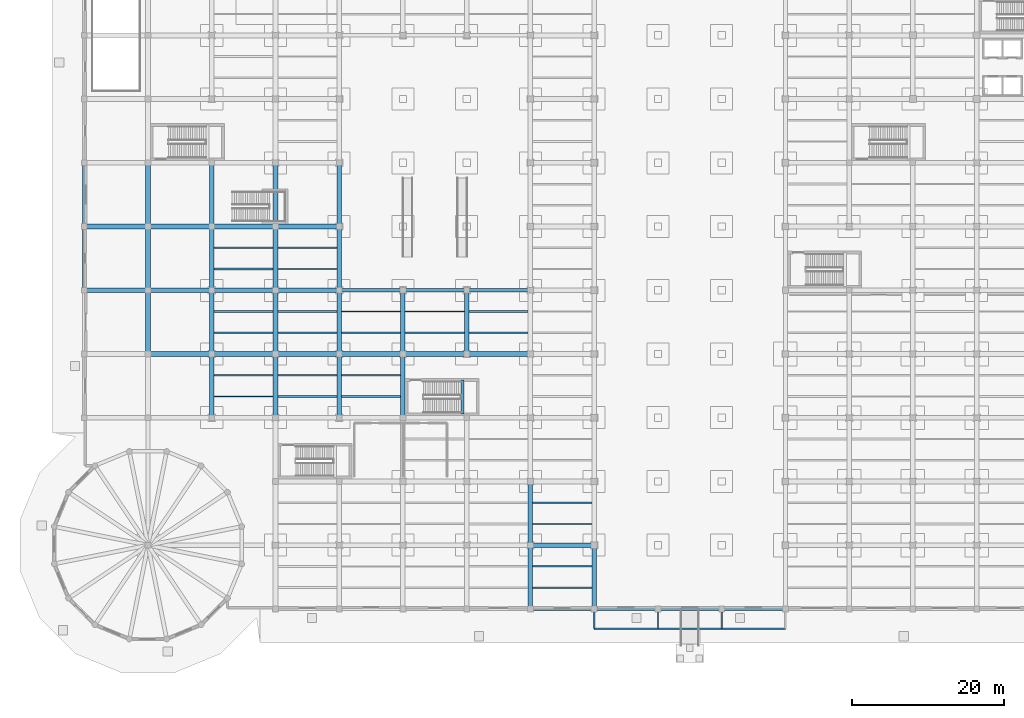
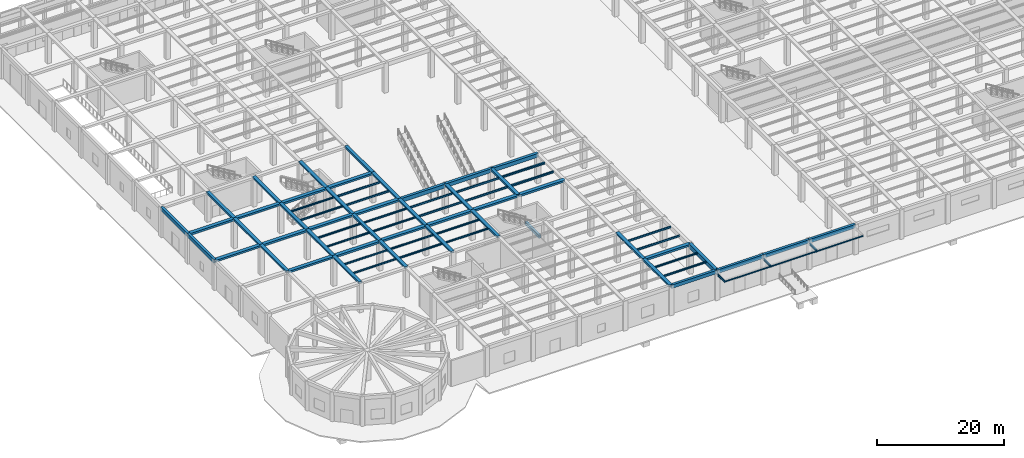
# One storey, part 5 of 43: 73 beams, 3 members.
"""IFC4 building model written with IfcOpenShell, lengths in metres."""

from ifc_helpers import new_model, si_unit, direction, frame, origin, origin_2d, place, context, subcontext, project, spatial, rectangle, hollow_rectangle, i_section, extrude, material, material_profile, profile_set, type_object, element, save


model = new_model("IFC4")

# Units and contexts
model_context = context("Model", 3, precision=1e-05, world=origin(), true_north=direction((0.0, 1.0)))
body_context = subcontext(model_context, "Body", "Model", "MODEL_VIEW")
ifc_project = project(units=[si_unit("LENGTHUNIT", "METRE"), si_unit("AREAUNIT", "SQUARE_METRE"), si_unit("VOLUMEUNIT", "CUBIC_METRE"), si_unit("PLANEANGLEUNIT", "RADIAN"), si_unit("MASSUNIT", "GRAM", prefix="KILO")], contexts=[model_context])

# Site, building, storey
site_placement = place(None, origin())
site = spatial("IfcSite", under=ifc_project, at=site_placement, CompositionType="ELEMENT")
building_placement = place(site_placement, origin())
building = spatial("IfcBuilding", under=site, at=building_placement, Name="Almacenes y Pasaje Nevantli", CompositionType="ELEMENT")
storey_placement = place(building_placement, origin())
storey = spatial("IfcBuildingStorey", under=building, at=storey_placement, Name="L01", CompositionType="ELEMENT", Elevation=0.0)

# Beams
ifc_material_1 = material(Name="Concrete C35/45", Category="concrete")
ifc_material_profile_1 = material_profile(ifc_material_1, rectangle(XDim=0.39990234375, YDim=0.60009765625, at=origin_2d()), Name="RC-BM-400x600")
ifc_profile_set_1 = profile_set([ifc_material_profile_1], Name="Concrete C35/45")
beam_type_1 = type_object("IfcBeamType", Name="BM-RC-400x600", PredefinedType="SPANDREL", material=ifc_profile_set_1)
beam_1_placement = place(storey_placement, frame((49.830078125, 25.699951171875, 2.5), z_axis=(0.0, 1.0, 0.0), x_axis=(-1.0, 0.0, 0.0)))
element("IfcBeam", 1, at=beam_1_placement, inside=storey, type_object=beam_type_1, Name="L01 Stair ST-14 Half-Landing Support Beam", PredefinedType="SPANDREL", context=body_context, shape_type="SweptSolid", body=[
    extrude(rectangle(XDim=0.39990234375, YDim=0.60009765625, at=origin_2d()), origin(), (0.0, 0.0, 1.0), 4.449951171875),
])
ifc_material_2 = material(Name="Concrete C35/45", Category="concrete")
ifc_material_profile_2 = material_profile(ifc_material_2, rectangle(XDim=0.449951171875, YDim=0.64990234375, at=origin_2d()), Name="RC-BM-450x650")
ifc_profile_set_2 = profile_set([ifc_material_profile_2], Name="Concrete C35/45")
beam_type_2 = type_object("IfcBeamType", Name="BM-RC-450x650", PredefinedType="SPANDREL", material=ifc_profile_set_2)
for number, where, z_axis, x_axis, name in (
    (2, (58.800048828125, 0.0, 5.375), (1.0, 0.0, 0.0), (0.0, 1.0, 0.0), "L01 East-West Reinforced Concrete Beam #1213"),
    (3, (75.60009765625, 0.0, 5.375), (1.0, 0.0, 0.0), (0.0, 1.0, 0.0), "L01 East-West Reinforced Concrete Beam #1215"),
):
    element("IfcBeam", number, at=place(storey_placement, frame(where, z_axis=z_axis, x_axis=x_axis)), inside=storey, type_object=beam_type_2, Name=name, PredefinedType="SPANDREL", context=body_context, shape_type="SweptSolid", body=[
        extrude(rectangle(XDim=0.449951171875, YDim=0.64990234375, at=origin_2d()), origin(), (0.0, 0.0, 1.0), 8.39990234375),
    ])
ifc_material_3 = material(Name="Concrete C35/45", Category="concrete")
ifc_material_profile_3 = material_profile(ifc_material_3, rectangle(XDim=0.449951171875, YDim=0.699951171875, at=origin_2d()), Name="RC-BM-450x700")
ifc_profile_set_3 = profile_set([ifc_material_profile_3], Name="Concrete C35/45")
beam_type_3 = type_object("IfcBeamType", Name="BM-RC-450x700", PredefinedType="SPANDREL", material=ifc_profile_set_3)
beam_2_placement = place(storey_placement, frame((67.199951171875, 0.0, 5.35009765625), z_axis=(1.0, 0.0, 0.0), x_axis=(0.0, 1.0, 0.0)))
element("IfcBeam", 4, at=beam_2_placement, inside=storey, type_object=beam_type_3, Name="L01 East-West Reinforced Concrete Beam #1214", PredefinedType="SPANDREL", context=body_context, shape_type="SweptSolid", body=[
    extrude(rectangle(XDim=0.449951171875, YDim=0.699951171875, at=origin_2d()), origin(), (0.0, 0.0, 1.0), 8.400146484375),
])
for number, where, z_axis, x_axis, name in (
    (5, (84.0, 0.0, 5.35009765625), (1.0, 0.0, 0.0), (0.0, 1.0, 0.0), "L01 East-West Reinforced Concrete Beam #1216"),
    (6, (0.0, 42.0, 5.35009765625), (0.0, 1.0, 0.0), (-1.0, 0.0, 0.0), "L01 North-South Reinforced Concrete Beam #1454"),
):
    element("IfcBeam", number, at=place(storey_placement, frame(where, z_axis=z_axis, x_axis=x_axis)), inside=storey, type_object=beam_type_3, Name=name, PredefinedType="SPANDREL", context=body_context, shape_type="SweptSolid", body=[
        extrude(rectangle(XDim=0.449951171875, YDim=0.699951171875, at=origin_2d()), origin(), (0.0, 0.0, 1.0), 8.39990234375),
    ])
beam_3_placement = place(storey_placement, frame((0.0, 50.39990234375, 5.35009765625), z_axis=(0.0, 1.0, 0.0), x_axis=(-1.0, 0.0, 0.0)))
element("IfcBeam", 7, at=beam_3_placement, inside=storey, type_object=beam_type_3, Name="L01 North-South Reinforced Concrete Beam #1455", PredefinedType="SPANDREL", context=body_context, shape_type="SweptSolid", body=[
    extrude(rectangle(XDim=0.449951171875, YDim=0.699951171875, at=origin_2d()), origin(), (0.0, 0.0, 1.0), 8.400146484375),
])
ifc_material_4 = material(Name="Concrete C35/45", Category="concrete")
ifc_material_profile_4 = material_profile(ifc_material_4, rectangle(XDim=0.5, YDim=0.699951171875, at=origin_2d()), Name="RC-BM-500x700")
ifc_profile_set_4 = profile_set([ifc_material_profile_4], Name="Concrete C35/45")
beam_type_4 = type_object("IfcBeamType", Name="BM-RC-500x700", PredefinedType="BEAM", material=ifc_profile_set_4)
beam_4_placement = place(storey_placement, frame((42.0, 42.0, 5.35009765625), z_axis=(1.0, 0.0, 0.0), x_axis=(0.0, 1.0, 0.0)))
element("IfcBeam", 8, at=beam_4_placement, inside=storey, type_object=beam_type_4, Name="L01 East-West Reinforced Concrete Beam #1293", PredefinedType="BEAM", context=body_context, shape_type="SweptSolid", body=[
    extrude(rectangle(XDim=0.5, YDim=0.699951171875, at=origin_2d()), origin(), (0.0, 0.0, 1.0), 8.39990234375),
])
ifc_material_5 = material(Name="Concrete C35/45", Category="concrete")
ifc_material_profile_5 = material_profile(ifc_material_5, rectangle(XDim=0.5, YDim=0.75, at=origin_2d()), Name="RC-BM-500x750")
ifc_profile_set_5 = profile_set([ifc_material_profile_5], Name="Concrete C35/45")
beam_type_5 = type_object("IfcBeamType", Name="BM-RC-500x750", PredefinedType="BEAM", material=ifc_profile_set_5)
beam_5_placement = place(storey_placement, frame((33.60009765625, 42.0, 5.324951171875), z_axis=(1.0, 0.0, 0.0), x_axis=(0.0, 1.0, 0.0)))
element("IfcBeam", 9, at=beam_5_placement, inside=storey, type_object=beam_type_5, Name="L01 East-West Reinforced Concrete Beam #1292", PredefinedType="BEAM", context=body_context, shape_type="SweptSolid", body=[
    extrude(rectangle(XDim=0.5, YDim=0.75, at=origin_2d()), origin(), (0.0, 0.0, 1.0), 8.39990234375),
])
beam_6_placement = place(storey_placement, frame((50.39990234375, 42.0, 5.324951171875), z_axis=(1.0, 0.0, 0.0), x_axis=(0.0, 1.0, 0.0)))
element("IfcBeam", 10, at=beam_6_placement, inside=storey, type_object=beam_type_5, Name="L01 East-West Reinforced Concrete Beam #1294", PredefinedType="BEAM", context=body_context, shape_type="SweptSolid", body=[
    extrude(rectangle(XDim=0.5, YDim=0.75, at=origin_2d()), origin(), (0.0, 0.0, 1.0), 8.400146484375),
])
ifc_material_6 = material(Name="Concrete C35/45", Category="concrete")
ifc_material_profile_6 = material_profile(ifc_material_6, rectangle(XDim=0.550048828125, YDim=0.800048828125, at=origin_2d()), Name="RC-BM-550x800")
ifc_profile_set_6 = profile_set([ifc_material_profile_6], Name="Concrete C35/45")
beam_type_6 = type_object("IfcBeamType", Name="BM-RC-550x800", PredefinedType="BEAM", material=ifc_profile_set_6)
beam_7_placement = place(storey_placement, frame((67.199951171875, 0.0, 5.300048828125), z_axis=(0.0, 1.0, 0.0), x_axis=(-1.0, 0.0, 0.0)))
element("IfcBeam", 11, at=beam_7_placement, inside=storey, type_object=beam_type_6, Name="L01 North-South Reinforced Concrete Beam #1541", PredefinedType="BEAM", context=body_context, shape_type="SweptSolid", body=[
    extrude(rectangle(XDim=0.550048828125, YDim=0.800048828125, at=origin_2d()), origin(), (0.0, 0.0, 1.0), 8.39990234375),
])
ifc_material_7 = material(Name="Concrete C35/45", Category="concrete")
ifc_material_profile_7 = material_profile(ifc_material_7, rectangle(XDim=0.60009765625, YDim=0.320068359375, at=origin_2d()), Name="RC-BM-600x320")
ifc_profile_set_7 = profile_set([ifc_material_profile_7], Name="Concrete C35/45")
beam_type_7 = type_object("IfcBeamType", Name="BM-RC-600x320", PredefinedType="BEAM", material=ifc_profile_set_7)
beam_8_placement = place(storey_placement, frame((8.39990234375, 33.60009765625, 5.5400390625), z_axis=(0.0, 1.0, 0.0), x_axis=(-1.0, 0.0, 0.0)))
element("IfcBeam", 12, at=beam_8_placement, inside=storey, type_object=beam_type_7, Name="L01 North-South Reinforced Concrete Beam #1464", PredefinedType="BEAM", context=body_context, shape_type="SweptSolid", body=[
    extrude(rectangle(XDim=0.60009765625, YDim=0.320068359375, at=origin_2d()), origin(), (0.0, 0.0, 1.0), 8.39990234375),
])
for number, where, z_axis, x_axis, name in (
    (13, (8.39990234375, 50.39990234375, 5.5400390625), (0.0, 1.0, 0.0), (-1.0, 0.0, 0.0), "L01 North-South Reinforced Concrete Beam #1466"),
    (14, (16.800048828125, 25.199951171875, 5.5400390625), (0.0, 1.0, 0.0), (-1.0, 0.0, 0.0), "L01 North-South Reinforced Concrete Beam #1474"),
):
    element("IfcBeam", number, at=place(storey_placement, frame(where, z_axis=z_axis, x_axis=x_axis)), inside=storey, type_object=beam_type_7, Name=name, PredefinedType="BEAM", context=body_context, shape_type="SweptSolid", body=[
        extrude(rectangle(XDim=0.60009765625, YDim=0.320068359375, at=origin_2d()), origin(), (0.0, 0.0, 1.0), 8.400146484375),
    ])
for number, where, z_axis, x_axis, name in (
    (15, (16.800048828125, 42.0, 5.5400390625), (0.0, 1.0, 0.0), (-1.0, 0.0, 0.0), "L01 North-South Reinforced Concrete Beam #1476"),
    (16, (25.199951171875, 33.60009765625, 5.5400390625), (0.0, 1.0, 0.0), (-1.0, 0.0, 0.0), "L01 North-South Reinforced Concrete Beam #1487"),
):
    element("IfcBeam", number, at=place(storey_placement, frame(where, z_axis=z_axis, x_axis=x_axis)), inside=storey, type_object=beam_type_7, Name=name, PredefinedType="BEAM", context=body_context, shape_type="SweptSolid", body=[
        extrude(rectangle(XDim=0.60009765625, YDim=0.320068359375, at=origin_2d()), origin(), (0.0, 0.0, 1.0), 8.39990234375),
    ])
for number, where, z_axis, x_axis, name in (
    (17, (25.199951171875, 50.39990234375, 5.5400390625), (0.0, 1.0, 0.0), (-1.0, 0.0, 0.0), "L01 North-South Reinforced Concrete Beam #1489"),
    (18, (33.60009765625, 25.199951171875, 5.5400390625), (0.0, 1.0, 0.0), (-1.0, 0.0, 0.0), "L01 North-South Reinforced Concrete Beam #1499"),
):
    element("IfcBeam", number, at=place(storey_placement, frame(where, z_axis=z_axis, x_axis=x_axis)), inside=storey, type_object=beam_type_7, Name=name, PredefinedType="BEAM", context=body_context, shape_type="SweptSolid", body=[
        extrude(rectangle(XDim=0.60009765625, YDim=0.320068359375, at=origin_2d()), origin(), (0.0, 0.0, 1.0), 8.400146484375),
    ])
for number, where, z_axis, x_axis, name in (
    (19, (33.60009765625, 42.0, 5.5400390625), (0.0, 1.0, 0.0), (-1.0, 0.0, 0.0), "L01 North-South Reinforced Concrete Beam #1501"),
    (20, (42.0, 33.60009765625, 5.5400390625), (0.0, 1.0, 0.0), (-1.0, 0.0, 0.0), "L01 North-South Reinforced Concrete Beam #1514"),
    (21, (58.800048828125, 0.0, 5.5400390625), (0.0, 1.0, 0.0), (-1.0, 0.0, 0.0), "L01 North-South Reinforced Concrete Beam #1528"),
):
    element("IfcBeam", number, at=place(storey_placement, frame(where, z_axis=z_axis, x_axis=x_axis)), inside=storey, type_object=beam_type_7, Name=name, PredefinedType="BEAM", context=body_context, shape_type="SweptSolid", body=[
        extrude(rectangle(XDim=0.60009765625, YDim=0.320068359375, at=origin_2d()), origin(), (0.0, 0.0, 1.0), 8.39990234375),
    ])
ifc_material_8 = material(Name="Concrete C35/45", Category="concrete")
ifc_material_profile_8 = material_profile(ifc_material_8, rectangle(XDim=0.60009765625, YDim=0.340087890625, at=origin_2d()), Name="RC-BM-600x340")
ifc_profile_set_8 = profile_set([ifc_material_profile_8], Name="Concrete C35/45")
beam_type_8 = type_object("IfcBeamType", Name="BM-RC-600x340", PredefinedType="BEAM", material=ifc_profile_set_8)
for number, where, z_axis, x_axis, name in (
    (22, (8.39990234375, 42.0, 5.530029296875), (0.0, 1.0, 0.0), (-1.0, 0.0, 0.0), "L01 North-South Reinforced Concrete Beam #1465"),
    (23, (16.800048828125, 33.60009765625, 5.530029296875), (0.0, 1.0, 0.0), (-1.0, 0.0, 0.0), "L01 North-South Reinforced Concrete Beam #1475"),
):
    element("IfcBeam", number, at=place(storey_placement, frame(where, z_axis=z_axis, x_axis=x_axis)), inside=storey, type_object=beam_type_8, Name=name, PredefinedType="BEAM", context=body_context, shape_type="SweptSolid", body=[
        extrude(rectangle(XDim=0.60009765625, YDim=0.340087890625, at=origin_2d()), origin(), (0.0, 0.0, 1.0), 8.39990234375),
    ])
for number, where, z_axis, x_axis, name in (
    (24, (16.800048828125, 50.39990234375, 5.530029296875), (0.0, 1.0, 0.0), (-1.0, 0.0, 0.0), "L01 North-South Reinforced Concrete Beam #1477"),
    (25, (25.199951171875, 25.199951171875, 5.530029296875), (0.0, 1.0, 0.0), (-1.0, 0.0, 0.0), "L01 North-South Reinforced Concrete Beam #1486"),
):
    element("IfcBeam", number, at=place(storey_placement, frame(where, z_axis=z_axis, x_axis=x_axis)), inside=storey, type_object=beam_type_8, Name=name, PredefinedType="BEAM", context=body_context, shape_type="SweptSolid", body=[
        extrude(rectangle(XDim=0.60009765625, YDim=0.340087890625, at=origin_2d()), origin(), (0.0, 0.0, 1.0), 8.400146484375),
    ])
for number, where, z_axis, x_axis, name in (
    (26, (25.199951171875, 42.0, 5.530029296875), (0.0, 1.0, 0.0), (-1.0, 0.0, 0.0), "L01 North-South Reinforced Concrete Beam #1488"),
    (27, (33.60009765625, 33.60009765625, 5.530029296875), (0.0, 1.0, 0.0), (-1.0, 0.0, 0.0), "L01 North-South Reinforced Concrete Beam #1500"),
):
    element("IfcBeam", number, at=place(storey_placement, frame(where, z_axis=z_axis, x_axis=x_axis)), inside=storey, type_object=beam_type_8, Name=name, PredefinedType="BEAM", context=body_context, shape_type="SweptSolid", body=[
        extrude(rectangle(XDim=0.60009765625, YDim=0.340087890625, at=origin_2d()), origin(), (0.0, 0.0, 1.0), 8.39990234375),
    ])
for number, where, z_axis, x_axis, name in (
    (28, (33.60009765625, 50.39990234375, 5.530029296875), (0.0, 1.0, 0.0), (-1.0, 0.0, 0.0), "L01 North-South Reinforced Concrete Beam #1502"),
    (29, (42.0, 25.199951171875, 5.530029296875), (0.0, 1.0, 0.0), (-1.0, 0.0, 0.0), "L01 North-South Reinforced Concrete Beam #1513"),
):
    element("IfcBeam", number, at=place(storey_placement, frame(where, z_axis=z_axis, x_axis=x_axis)), inside=storey, type_object=beam_type_8, Name=name, PredefinedType="BEAM", context=body_context, shape_type="SweptSolid", body=[
        extrude(rectangle(XDim=0.60009765625, YDim=0.340087890625, at=origin_2d()), origin(), (0.0, 0.0, 1.0), 8.400146484375),
    ])
beam_9_placement = place(storey_placement, frame((50.39990234375, 33.60009765625, 5.530029296875), z_axis=(0.0, 1.0, 0.0), x_axis=(-1.0, 0.0, 0.0)))
element("IfcBeam", 30, at=beam_9_placement, inside=storey, type_object=beam_type_8, Name="L01 North-South Reinforced Concrete Beam #1522", PredefinedType="BEAM", context=body_context, shape_type="SweptSolid", body=[
    extrude(rectangle(XDim=0.60009765625, YDim=0.340087890625, at=origin_2d()), origin(), (0.0, 0.0, 1.0), 8.39990234375),
])
beam_10_placement = place(storey_placement, frame((58.800048828125, 8.39990234375, 5.530029296875), z_axis=(0.0, 1.0, 0.0), x_axis=(-1.0, 0.0, 0.0)))
element("IfcBeam", 31, at=beam_10_placement, inside=storey, type_object=beam_type_8, Name="L01 North-South Reinforced Concrete Beam #1529", PredefinedType="BEAM", context=body_context, shape_type="SweptSolid", body=[
    extrude(rectangle(XDim=0.60009765625, YDim=0.340087890625, at=origin_2d()), origin(), (0.0, 0.0, 1.0), 8.400146484375),
])
ifc_material_9 = material(Name="Concrete C35/45", Category="concrete")
ifc_material_profile_9 = material_profile(ifc_material_9, rectangle(XDim=0.64990234375, YDim=0.35009765625, at=origin_2d()), Name="RC-BM-650x350")
ifc_profile_set_9 = profile_set([ifc_material_profile_9], Name="Concrete C35/45")
beam_type_9 = type_object("IfcBeamType", Name="BM-RC-650x350", PredefinedType="BEAM", material=ifc_profile_set_9)
for number, where, z_axis, x_axis, name in (
    (32, (8.39990234375, 33.60009765625, 5.52490234375), (1.0, 0.0, 0.0), (0.0, 1.0, 0.0), "L01 East-West Reinforced Concrete Beam #1272"),
    (33, (25.199951171875, 33.60009765625, 5.52490234375), (1.0, 0.0, 0.0), (0.0, 1.0, 0.0), "L01 East-West Reinforced Concrete Beam #1274"),
):
    element("IfcBeam", number, at=place(storey_placement, frame(where, z_axis=z_axis, x_axis=x_axis)), inside=storey, type_object=beam_type_9, Name=name, PredefinedType="BEAM", context=body_context, shape_type="SweptSolid", body=[
        extrude(rectangle(XDim=0.64990234375, YDim=0.35009765625, at=origin_2d()), origin(), (0.0, 0.0, 1.0), 8.400146484375),
    ])
for number, where, z_axis, x_axis, name in (
    (34, (42.0, 33.60009765625, 5.52490234375), (1.0, 0.0, 0.0), (0.0, 1.0, 0.0), "L01 East-West Reinforced Concrete Beam #1276"),
    (35, (0.0, 42.0, 5.52490234375), (1.0, 0.0, 0.0), (0.0, 1.0, 0.0), "L01 East-West Reinforced Concrete Beam #1288"),
    (36, (16.800048828125, 42.0, 5.52490234375), (1.0, 0.0, 0.0), (0.0, 1.0, 0.0), "L01 East-West Reinforced Concrete Beam #1290"),
):
    element("IfcBeam", number, at=place(storey_placement, frame(where, z_axis=z_axis, x_axis=x_axis)), inside=storey, type_object=beam_type_9, Name=name, PredefinedType="BEAM", context=body_context, shape_type="SweptSolid", body=[
        extrude(rectangle(XDim=0.64990234375, YDim=0.35009765625, at=origin_2d()), origin(), (0.0, 0.0, 1.0), 8.39990234375),
    ])
for number, where, z_axis, x_axis, name in (
    (37, (8.39990234375, 50.39990234375, 5.52490234375), (1.0, 0.0, 0.0), (0.0, 1.0, 0.0), "L01 East-West Reinforced Concrete Beam #1306"),
    (38, (25.199951171875, 50.39990234375, 5.52490234375), (1.0, 0.0, 0.0), (0.0, 1.0, 0.0), "L01 East-West Reinforced Concrete Beam #1308"),
):
    element("IfcBeam", number, at=place(storey_placement, frame(where, z_axis=z_axis, x_axis=x_axis)), inside=storey, type_object=beam_type_9, Name=name, PredefinedType="BEAM", context=body_context, shape_type="SweptSolid", body=[
        extrude(rectangle(XDim=0.64990234375, YDim=0.35009765625, at=origin_2d()), origin(), (0.0, 0.0, 1.0), 8.400146484375),
    ])
ifc_material_10 = material(Name="Concrete C35/45", Category="concrete")
ifc_material_profile_10 = material_profile(ifc_material_10, rectangle(XDim=0.64990234375, YDim=0.3798828125, at=origin_2d()), Name="RC-BM-650x380")
ifc_profile_set_10 = profile_set([ifc_material_profile_10], Name="Concrete C35/45")
beam_type_10 = type_object("IfcBeamType", Name="BM-RC-650x380", PredefinedType="BEAM", material=ifc_profile_set_10)
for number, where, z_axis, x_axis, name in (
    (39, (58.800048828125, 8.39990234375, 5.510009765625), (1.0, 0.0, 0.0), (0.0, 1.0, 0.0), "L01 East-West Reinforced Concrete Beam #1230"),
    (40, (16.800048828125, 33.60009765625, 5.510009765625), (1.0, 0.0, 0.0), (0.0, 1.0, 0.0), "L01 East-West Reinforced Concrete Beam #1273"),
    (41, (33.60009765625, 33.60009765625, 5.510009765625), (1.0, 0.0, 0.0), (0.0, 1.0, 0.0), "L01 East-West Reinforced Concrete Beam #1275"),
):
    element("IfcBeam", number, at=place(storey_placement, frame(where, z_axis=z_axis, x_axis=x_axis)), inside=storey, type_object=beam_type_10, Name=name, PredefinedType="BEAM", context=body_context, shape_type="SweptSolid", body=[
        extrude(rectangle(XDim=0.64990234375, YDim=0.3798828125, at=origin_2d()), origin(), (0.0, 0.0, 1.0), 8.39990234375),
    ])
for number, where, z_axis, x_axis, name in (
    (42, (50.39990234375, 33.60009765625, 5.510009765625), (1.0, 0.0, 0.0), (0.0, 1.0, 0.0), "L01 East-West Reinforced Concrete Beam #1277"),
    (43, (8.39990234375, 42.0, 5.510009765625), (1.0, 0.0, 0.0), (0.0, 1.0, 0.0), "L01 East-West Reinforced Concrete Beam #1289"),
    (44, (25.199951171875, 42.0, 5.510009765625), (1.0, 0.0, 0.0), (0.0, 1.0, 0.0), "L01 East-West Reinforced Concrete Beam #1291"),
):
    element("IfcBeam", number, at=place(storey_placement, frame(where, z_axis=z_axis, x_axis=x_axis)), inside=storey, type_object=beam_type_10, Name=name, PredefinedType="BEAM", context=body_context, shape_type="SweptSolid", body=[
        extrude(rectangle(XDim=0.64990234375, YDim=0.3798828125, at=origin_2d()), origin(), (0.0, 0.0, 1.0), 8.400146484375),
    ])
for number, where, z_axis, x_axis, name in (
    (45, (0.0, 50.39990234375, 5.510009765625), (1.0, 0.0, 0.0), (0.0, 1.0, 0.0), "L01 East-West Reinforced Concrete Beam #1305"),
    (46, (16.800048828125, 50.39990234375, 5.510009765625), (1.0, 0.0, 0.0), (0.0, 1.0, 0.0), "L01 East-West Reinforced Concrete Beam #1307"),
):
    element("IfcBeam", number, at=place(storey_placement, frame(where, z_axis=z_axis, x_axis=x_axis)), inside=storey, type_object=beam_type_10, Name=name, PredefinedType="BEAM", context=body_context, shape_type="SweptSolid", body=[
        extrude(rectangle(XDim=0.64990234375, YDim=0.3798828125, at=origin_2d()), origin(), (0.0, 0.0, 1.0), 8.39990234375),
    ])
ifc_material_11 = material(Name="Steel ASTM A992", Category="steel")
ifc_material_profile_11 = material_profile(ifc_material_11, i_section(OverallWidth=0.1650390625, OverallDepth=0.306884765625, WebThickness=0.006591796875, FlangeThickness=0.01025390625, at=origin_2d()), Name="IR 305x44.6")
ifc_profile_set_11 = profile_set([ifc_material_profile_11], Name="Steel ASTM A992")
beam_type_11 = type_object("IfcBeamType", Name="BM-STL-IR-305x44p6", PredefinedType="JOIST", material=ifc_profile_set_11)
for number, where, z_axis, x_axis, name in (
    (47, (17.10009765625, 28.0, 5.53857421875), (1.0, 0.0, 0.0), (0.0, 1.0, 0.0), "L01 Secondary Steel Floor Joist #5"),
    (48, (17.10009765625, 30.800048828125, 5.53857421875), (1.0, 0.0, 0.0), (0.0, 1.0, 0.0), "L01 Secondary Steel Floor Joist #6"),
):
    element("IfcBeam", number, at=place(storey_placement, frame(where, z_axis=z_axis, x_axis=x_axis)), inside=storey, type_object=beam_type_11, Name=name, PredefinedType="JOIST", context=body_context, shape_type="SweptSolid", body=[
        extrude(i_section(OverallWidth=0.1650390625, OverallDepth=0.306884765625, WebThickness=0.006591796875, FlangeThickness=0.01025390625, at=origin_2d()), origin(), (0.0, 0.0, 1.0), 7.7998046875),
    ])
ifc_material_12 = material(Name="Steel ASTM A992", Category="steel")
ifc_material_profile_12 = material_profile(ifc_material_12, i_section(OverallWidth=0.202880859375, OverallDepth=0.304931640625, WebThickness=0.007568359375, FlangeThickness=0.01318359375, at=origin_2d()), Name="IR 305x59.5")
ifc_profile_set_12 = profile_set([ifc_material_profile_12], Name="Steel ASTM A992")
beam_type_12 = type_object("IfcBeamType", Name="BM-STL-IR-305x59p5", PredefinedType="JOIST", material=ifc_profile_set_12)
for number, where, z_axis, x_axis, name in (
    (49, (17.10009765625, 36.39990234375, 5.53955078125), (1.0, 0.0, 0.0), (0.0, 1.0, 0.0), "L01 Secondary Steel Floor Joist #7"),
    (50, (17.10009765625, 39.199951171875, 5.53955078125), (1.0, 0.0, 0.0), (0.0, 1.0, 0.0), "L01 Secondary Steel Floor Joist #8"),
):
    element("IfcBeam", number, at=place(storey_placement, frame(where, z_axis=z_axis, x_axis=x_axis)), inside=storey, type_object=beam_type_12, Name=name, PredefinedType="JOIST", context=body_context, shape_type="SweptSolid", body=[
        extrude(i_section(OverallWidth=0.202880859375, OverallDepth=0.304931640625, WebThickness=0.007568359375, FlangeThickness=0.01318359375, at=origin_2d()), origin(), (0.0, 0.0, 1.0), 7.7998046875),
    ])
for number, where, z_axis, x_axis, name in (
    (51, (25.5, 28.0, 5.53955078125), (1.0, 0.0, 0.0), (0.0, 1.0, 0.0), "L01 Secondary Steel Floor Joist #25"),
    (52, (25.5, 30.800048828125, 5.53955078125), (1.0, 0.0, 0.0), (0.0, 1.0, 0.0), "L01 Secondary Steel Floor Joist #26"),
):
    element("IfcBeam", number, at=place(storey_placement, frame(where, z_axis=z_axis, x_axis=x_axis)), inside=storey, type_object=beam_type_12, Name=name, PredefinedType="JOIST", context=body_context, shape_type="SweptSolid", body=[
        extrude(i_section(OverallWidth=0.202880859375, OverallDepth=0.304931640625, WebThickness=0.007568359375, FlangeThickness=0.01318359375, at=origin_2d()), origin(), (0.0, 0.0, 1.0), 7.800048828125),
    ])
ifc_material_13 = material(Name="Steel ASTM A992", Category="steel")
ifc_material_profile_13 = material_profile(ifc_material_13, i_section(OverallWidth=0.205078125, OverallDepth=0.31005859375, WebThickness=0.009521484375, FlangeThickness=0.016357421875, at=origin_2d()), Name="IR 305x74.4")
ifc_profile_set_13 = profile_set([ifc_material_profile_13], Name="Steel ASTM A992")
beam_type_13 = type_object("IfcBeamType", Name="BM-STL-IR-305x74p4", PredefinedType="JOIST", material=ifc_profile_set_13)
for number, where, z_axis, x_axis, name in (
    (53, (17.10009765625, 44.800048828125, 5.537109375), (1.0, 0.0, 0.0), (0.0, 1.0, 0.0), "L01 Secondary Steel Floor Joist #9"),
    (54, (17.10009765625, 47.60009765625, 5.537109375), (1.0, 0.0, 0.0), (0.0, 1.0, 0.0), "L01 Secondary Steel Floor Joist #10"),
):
    element("IfcBeam", number, at=place(storey_placement, frame(where, z_axis=z_axis, x_axis=x_axis)), inside=storey, type_object=beam_type_13, Name=name, PredefinedType="JOIST", context=body_context, shape_type="SweptSolid", body=[
        extrude(i_section(OverallWidth=0.205078125, OverallDepth=0.31005859375, WebThickness=0.009521484375, FlangeThickness=0.016357421875, at=origin_2d()), origin(), (0.0, 0.0, 1.0), 7.7998046875),
    ])
for number, where, z_axis, x_axis, name in (
    (55, (25.5, 36.39990234375, 5.537109375), (1.0, 0.0, 0.0), (0.0, 1.0, 0.0), "L01 Secondary Steel Floor Joist #27"),
    (56, (25.5, 39.199951171875, 5.537109375), (1.0, 0.0, 0.0), (0.0, 1.0, 0.0), "L01 Secondary Steel Floor Joist #28"),
    (57, (33.89990234375, 28.0, 5.537109375), (1.0, 0.0, 0.0), (0.0, 1.0, 0.0), "L01 Secondary Steel Floor Joist #49"),
    (58, (33.89990234375, 30.800048828125, 5.537109375), (1.0, 0.0, 0.0), (0.0, 1.0, 0.0), "L01 Secondary Steel Floor Joist #50"),
):
    element("IfcBeam", number, at=place(storey_placement, frame(where, z_axis=z_axis, x_axis=x_axis)), inside=storey, type_object=beam_type_13, Name=name, PredefinedType="JOIST", context=body_context, shape_type="SweptSolid", body=[
        extrude(i_section(OverallWidth=0.205078125, OverallDepth=0.31005859375, WebThickness=0.009521484375, FlangeThickness=0.016357421875, at=origin_2d()), origin(), (0.0, 0.0, 1.0), 7.800048828125),
    ])
for number, where, z_axis, x_axis, name in (
    (59, (59.10009765625, 2.800048828125, 5.537109375), (1.0, 0.0, 0.0), (0.0, 1.0, 0.0), "L01 Secondary Steel Floor Joist #93"),
    (60, (59.10009765625, 5.60009765625, 5.537109375), (1.0, 0.0, 0.0), (0.0, 1.0, 0.0), "L01 Secondary Steel Floor Joist #94"),
):
    element("IfcBeam", number, at=place(storey_placement, frame(where, z_axis=z_axis, x_axis=x_axis)), inside=storey, type_object=beam_type_13, Name=name, PredefinedType="JOIST", context=body_context, shape_type="SweptSolid", body=[
        extrude(i_section(OverallWidth=0.205078125, OverallDepth=0.31005859375, WebThickness=0.009521484375, FlangeThickness=0.016357421875, at=origin_2d()), origin(), (0.0, 0.0, 1.0), 7.824951171875),
    ])
ifc_material_14 = material(Name="Steel ASTM A992", Category="steel")
ifc_material_profile_14 = material_profile(ifc_material_14, i_section(OverallWidth=0.173095703125, OverallDepth=0.35302734375, WebThickness=0.0078125, FlangeThickness=0.01318359375, at=origin_2d()), Name="IR 356x56.6")
ifc_profile_set_14 = profile_set([ifc_material_profile_14], Name="Steel ASTM A992")
beam_type_14 = type_object("IfcBeamType", Name="BM-STL-IR-356x56p6", PredefinedType="JOIST", material=ifc_profile_set_14)
for number, where, z_axis, x_axis, name in (
    (61, (25.5, 44.800048828125, 5.515380859375), (1.0, 0.0, 0.0), (0.0, 1.0, 0.0), "L01 Secondary Steel Floor Joist #29"),
    (62, (25.5, 47.60009765625, 5.515380859375), (1.0, 0.0, 0.0), (0.0, 1.0, 0.0), "L01 Secondary Steel Floor Joist #30"),
    (63, (33.89990234375, 36.39990234375, 5.515380859375), (1.0, 0.0, 0.0), (0.0, 1.0, 0.0), "L01 Secondary Steel Floor Joist #51"),
    (64, (33.89990234375, 39.199951171875, 5.515380859375), (1.0, 0.0, 0.0), (0.0, 1.0, 0.0), "L01 Secondary Steel Floor Joist #52"),
):
    element("IfcBeam", number, at=place(storey_placement, frame(where, z_axis=z_axis, x_axis=x_axis)), inside=storey, type_object=beam_type_14, Name=name, PredefinedType="JOIST", context=body_context, shape_type="SweptSolid", body=[
        extrude(i_section(OverallWidth=0.173095703125, OverallDepth=0.35302734375, WebThickness=0.0078125, FlangeThickness=0.01318359375, at=origin_2d()), origin(), (0.0, 0.0, 1.0), 7.800048828125),
    ])
for number, where, z_axis, x_axis, name in (
    (65, (59.10009765625, 11.199951171875, 5.515380859375), (1.0, 0.0, 0.0), (0.0, 1.0, 0.0), "L01 Secondary Steel Floor Joist #95"),
    (66, (59.10009765625, 14.0, 5.515380859375), (1.0, 0.0, 0.0), (0.0, 1.0, 0.0), "L01 Secondary Steel Floor Joist #96"),
):
    element("IfcBeam", number, at=place(storey_placement, frame(where, z_axis=z_axis, x_axis=x_axis)), inside=storey, type_object=beam_type_14, Name=name, PredefinedType="JOIST", context=body_context, shape_type="SweptSolid", body=[
        extrude(i_section(OverallWidth=0.173095703125, OverallDepth=0.35302734375, WebThickness=0.0078125, FlangeThickness=0.01318359375, at=origin_2d()), origin(), (0.0, 0.0, 1.0), 7.824951171875),
    ])
ifc_material_15 = material(Name="Steel ASTM A992", Category="steel")
ifc_material_profile_15 = material_profile(ifc_material_15, i_section(OverallWidth=0.173095703125, OverallDepth=0.364013671875, WebThickness=0.009033203125, FlangeThickness=0.015625, at=origin_2d()), Name="IR 356x67.0")
ifc_profile_set_15 = profile_set([ifc_material_profile_15], Name="Steel ASTM A992")
beam_type_15 = type_object("IfcBeamType", Name="BM-STL-IR-356x67p0", PredefinedType="JOIST", material=ifc_profile_set_15)
for number, where, z_axis, x_axis, name in (
    (67, (42.300048828125, 36.39990234375, 5.510009765625), (1.0, 0.0, 0.0), (0.0, 1.0, 0.0), "L01 Secondary Steel Floor Joist #67"),
    (68, (42.300048828125, 39.199951171875, 5.510009765625), (1.0, 0.0, 0.0), (0.0, 1.0, 0.0), "L01 Secondary Steel Floor Joist #68"),
):
    element("IfcBeam", number, at=place(storey_placement, frame(where, z_axis=z_axis, x_axis=x_axis)), inside=storey, type_object=beam_type_15, Name=name, PredefinedType="JOIST", context=body_context, shape_type="SweptSolid", body=[
        extrude(i_section(OverallWidth=0.173095703125, OverallDepth=0.364013671875, WebThickness=0.009033203125, FlangeThickness=0.015625, at=origin_2d()), origin(), (0.0, 0.0, 1.0), 7.800048828125),
    ])
ifc_material_16 = material(Name="Steel ASTM A992", Category="steel")
ifc_material_profile_16 = material_profile(ifc_material_16, i_section(OverallWidth=0.25390625, OverallDepth=0.35595703125, WebThickness=0.009521484375, FlangeThickness=0.016357421875, at=origin_2d()), Name="IR 356x79.0")
ifc_profile_set_16 = profile_set([ifc_material_profile_16], Name="Steel ASTM A992")
beam_type_16 = type_object("IfcBeamType", Name="BM-STL-IR-356x79p0", PredefinedType="JOIST", material=ifc_profile_set_16)
for number, where, z_axis, x_axis, name in (
    (69, (50.699951171875, 36.39990234375, 5.513916015625), (1.0, 0.0, 0.0), (0.0, 1.0, 0.0), "L01 Secondary Steel Floor Joist #83"),
    (70, (50.699951171875, 39.199951171875, 5.513916015625), (1.0, 0.0, 0.0), (0.0, 1.0, 0.0), "L01 Secondary Steel Floor Joist #84"),
):
    element("IfcBeam", number, at=place(storey_placement, frame(where, z_axis=z_axis, x_axis=x_axis)), inside=storey, type_object=beam_type_16, Name=name, PredefinedType="JOIST", context=body_context, shape_type="SweptSolid", body=[
        extrude(i_section(OverallWidth=0.25390625, OverallDepth=0.35595703125, WebThickness=0.009521484375, FlangeThickness=0.016357421875, at=origin_2d()), origin(), (0.0, 0.0, 1.0), 7.800048828125),
    ])
ifc_material_17 = material(Name="Steel ASTM A992", Category="steel")
ifc_material_profile_17 = material_profile(ifc_material_17, i_section(OverallWidth=0.180908203125, OverallDepth=0.406005859375, WebThickness=0.010986328125, FlangeThickness=0.018310546875, at=origin_2d()), Name="IR 406x85.0")
ifc_profile_set_17 = profile_set([ifc_material_profile_17], Name="Steel ASTM A992")
beam_type_17 = type_object("IfcBeamType", Name="BM-STL-IR-406x85p0", PredefinedType="BEAM", material=ifc_profile_set_17)
for number, where, z_axis, x_axis, name in (
    (71, (67.199951171875, 0.0, 4.909912109375), (0.0, -1.0, 0.0), (1.0, 0.0, 0.0), "Canopy Cantilever Steel Outrigger cnp-south-portal at X=67.2"),
    (72, (75.60009765625, 0.0, 4.909912109375), (0.0, -1.0, 0.0), (1.0, 0.0, 0.0), "Canopy Cantilever Steel Outrigger cnp-south-portal at X=75.6"),
    (73, (84.0, 0.0, 4.909912109375), (0.0, -1.0, 0.0), (1.0, 0.0, 0.0), "Canopy Cantilever Steel Outrigger cnp-south-portal at X=84.0"),
):
    element("IfcBeam", number, at=place(storey_placement, frame(where, z_axis=z_axis, x_axis=x_axis)), inside=storey, type_object=beam_type_17, Name=name, PredefinedType="BEAM", context=body_context, shape_type="SweptSolid", body=[
        extrude(i_section(OverallWidth=0.180908203125, OverallDepth=0.406005859375, WebThickness=0.010986328125, FlangeThickness=0.018310546875, at=origin_2d()), origin(), (0.0, 0.0, 1.0), 2.60009765625),
    ])

# Members
ifc_material_18 = material(Name="Steel ASTM A500 Grade C", Category="steel")
ifc_material_profile_18 = material_profile(ifc_material_18, hollow_rectangle(XDim=0.177734375, YDim=0.177734375, WallThickness=0.0078125, at=origin_2d()), Name="OR 178x178x7.9")
ifc_profile_set_18 = profile_set([ifc_material_profile_18], Name="Steel ASTM A500 Grade C")
member_type = type_object("IfcMemberType", Name="MBR-PUR-OR178x178", PredefinedType="PURLIN", material=ifc_profile_set_18)
member_placement = place(storey_placement, frame((67.199951171875, -2.60009765625, 4.909912109375), z_axis=(1.0, 0.0, 0.0), x_axis=(0.0, 1.0, 0.0)))
element("IfcMember", 74, at=member_placement, inside=storey, type_object=member_type, Name="Canopy Fascia Steel Purlin cnp-south-portal #1", PredefinedType="PURLIN", context=body_context, shape_type="SweptSolid", body=[
    extrude(hollow_rectangle(XDim=0.177734375, YDim=0.177734375, WallThickness=0.0078125, at=origin_2d()), origin(), (0.0, 0.0, 1.0), 8.400146484375),
])
for number, where, z_axis, x_axis, name in (
    (75, (75.60009765625, -2.60009765625, 4.909912109375), (1.0, 0.0, 0.0), (0.0, 1.0, 0.0), "Canopy Fascia Steel Purlin cnp-south-portal #2"),
    (76, (84.0, -2.60009765625, 4.909912109375), (1.0, 0.0, 0.0), (0.0, 1.0, 0.0), "Canopy Fascia Steel Purlin cnp-south-portal #3"),
):
    element("IfcMember", number, at=place(storey_placement, frame(where, z_axis=z_axis, x_axis=x_axis)), inside=storey, type_object=member_type, Name=name, PredefinedType="PURLIN", context=body_context, shape_type="SweptSolid", body=[
        extrude(hollow_rectangle(XDim=0.177734375, YDim=0.177734375, WallThickness=0.0078125, at=origin_2d()), origin(), (0.0, 0.0, 1.0), 8.39990234375),
    ])

save(model, "model.ifc")
